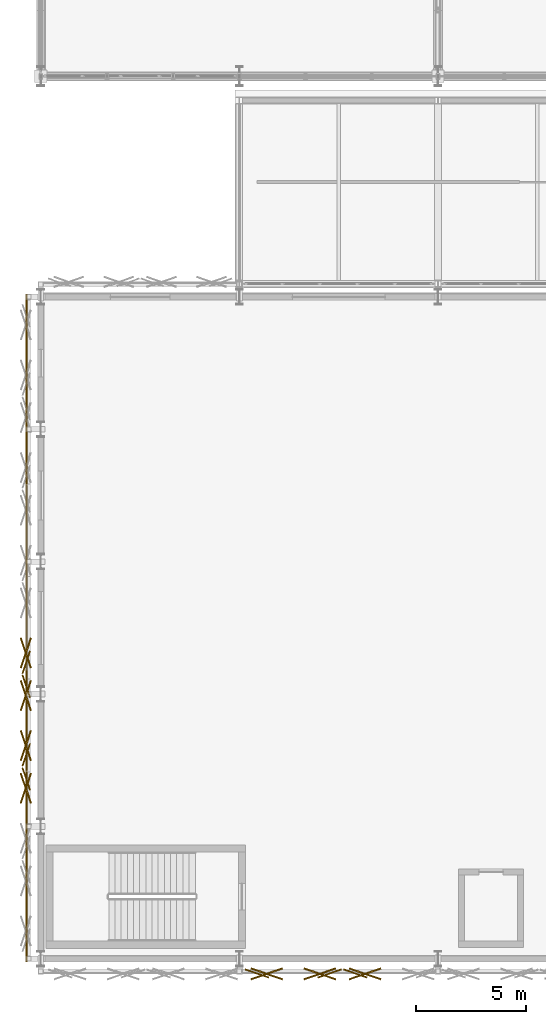
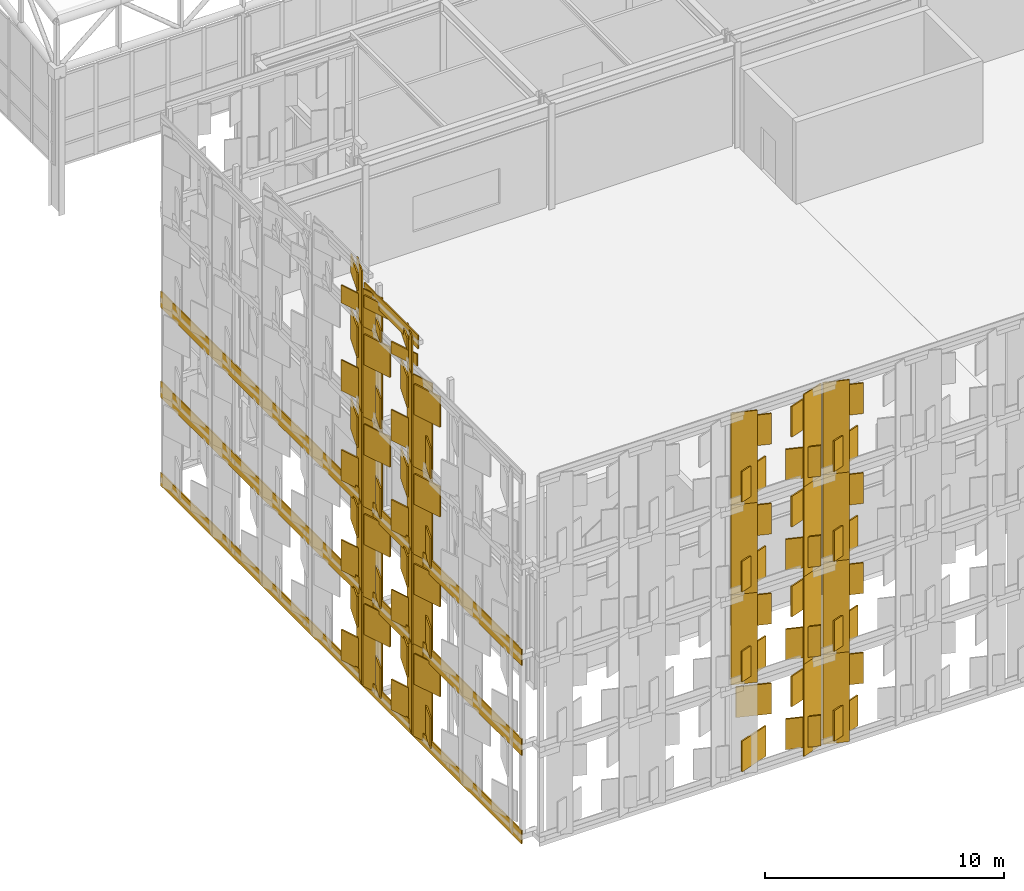
# One storey, part 215 of 239: 96 coverings.
"""IFC4 building model written with IfcOpenShell, lengths in metres."""

from ifc_helpers import new_model, si_unit, direction, frame, origin, origin_2d, place, context, subcontext, project, spatial, rectangle, extrude, material, layer, layer_set, type_object, element, save


model = new_model("IFC4")

# Units and contexts
model_context = context("Model", 3, precision=1e-05, world=origin(), true_north=direction((0.0, 1.0)))
body_context = subcontext(model_context, "Body", "Model", "MODEL_VIEW")
ifc_project = project(units=[si_unit("LENGTHUNIT", "METRE"), si_unit("AREAUNIT", "SQUARE_METRE"), si_unit("VOLUMEUNIT", "CUBIC_METRE"), si_unit("PLANEANGLEUNIT", "RADIAN"), si_unit("MASSUNIT", "GRAM", prefix="KILO")], contexts=[model_context])

# Site, building, storey
site_placement = place(None, origin())
site = spatial("IfcSite", under=ifc_project, at=site_placement, CompositionType="ELEMENT")
building_placement = place(site_placement, origin())
building = spatial("IfcBuilding", under=site, at=building_placement, Name="Kaldris Quays Convention Centre", CompositionType="ELEMENT")
storey_placement = place(building_placement, frame((0.0, 0.0, 11.39990234375)))
storey = spatial("IfcBuildingStorey", under=building, at=storey_placement, Name="L02", CompositionType="ELEMENT", Elevation=11.39990234375)

# Coverings
ifc_material = material(Name="Alabaster white star-pierced anodized aluminium panel", Category="aluminium")
ifc_layer = layer(ifc_material, 0.044921875)
ifc_layer_set = layer_set([ifc_layer], Name="Alabaster white star-pierced anodized aluminium panel")
covering_type = type_object("IfcCoveringType", Name="STAR PIERCED WHITE FOLDED SCREEN CL01", PredefinedType="CLADDING", material=ifc_layer_set)
covering_1_placement = place(storey_placement, frame((33.092041015625, 15.340087890625, -7.60986328125), z_axis=(0.0, 0.0, 1.0), x_axis=(0.945518575599, 0.325568154457, 0.0)))
element("IfcCovering", 1, at=covering_1_placement, inside=storey, type_object=covering_type, Name="V3S Folded White Screen Stile 2768", PredefinedType="CLADDING", context=body_context, shape_type="SweptSolid", body=[
    extrude(rectangle(XDim=1.131103515625, YDim=0.054931640625, at=origin_2d()), origin(), (0.0, 0.0, 1.0), 4.719970703125),
])
for number, where, z_axis, x_axis, name in (
    (2, (30.239501953125, 15.320068359375, -7.27392578125), (0.0, 0.0, 1.0), (0.945518575599, 0.325568154457, 0.0), "V3S Carved Star Corner Facet 2769"),
    (3, (30.239501953125, 15.320068359375, -4.789794921875), (0.0, 0.0, 1.0), (0.945518575599, -0.325568154457, 0.0), "V3S Carved Star Corner Facet 2770"),
    (4, (32.646240234375, 15.320068359375, -7.27392578125), (0.0, 0.0, 1.0), (0.945518575599, -0.325568154457, 0.0), "V3S Carved Star Corner Facet 2771"),
    (5, (32.646240234375, 15.320068359375, -4.789794921875), (0.0, 0.0, 1.0), (0.945518575599, 0.325568154457, 0.0), "V3S Carved Star Corner Facet 2772"),
):
    element("IfcCovering", number, at=place(storey_placement, frame(where, z_axis=z_axis, x_axis=x_axis)), inside=storey, type_object=covering_type, Name=name, PredefinedType="CLADDING", context=body_context, shape_type="SweptSolid", body=[
        extrude(rectangle(XDim=1.514892578125, YDim=0.06494140625, at=origin_2d()), origin(), (0.0, 0.0, 1.0), 1.56396484375),
    ])
for number, where, z_axis, x_axis, name in (
    (6, (29.793701171875, 15.340087890625, -3.009765625), (0.0, 0.0, 1.0), (0.945518575599, -0.325568154457, 0.0), "V3S Folded White Screen Stile 2773"),
    (7, (33.092041015625, 15.340087890625, -3.009765625), (0.0, 0.0, 1.0), (0.945518575599, 0.325568154457, 0.0), "V3S Folded White Screen Stile 2774"),
):
    element("IfcCovering", number, at=place(storey_placement, frame(where, z_axis=z_axis, x_axis=x_axis)), inside=storey, type_object=covering_type, Name=name, PredefinedType="CLADDING", context=body_context, shape_type="SweptSolid", body=[
        extrude(rectangle(XDim=1.131103515625, YDim=0.054931640625, at=origin_2d()), origin(), (0.0, 0.0, 1.0), 4.719970703125),
    ])
for number, where, z_axis, x_axis, name in (
    (8, (30.239501953125, 15.320068359375, -2.673828125), (0.0, 0.0, 1.0), (0.945518575599, 0.325568154457, 0.0), "V3S Carved Star Corner Facet 2775"),
    (9, (30.239501953125, 15.320068359375, -0.18994140625), (0.0, 0.0, 1.0), (0.945518575599, -0.325568154457, 0.0), "V3S Carved Star Corner Facet 2776"),
    (10, (32.646240234375, 15.320068359375, -2.673828125), (0.0, 0.0, 1.0), (0.945518575599, -0.325568154457, 0.0), "V3S Carved Star Corner Facet 2777"),
    (11, (32.646240234375, 15.320068359375, -0.18994140625), (0.0, 0.0, 1.0), (0.945518575599, 0.325568154457, 0.0), "V3S Carved Star Corner Facet 2778"),
):
    element("IfcCovering", number, at=place(storey_placement, frame(where, z_axis=z_axis, x_axis=x_axis)), inside=storey, type_object=covering_type, Name=name, PredefinedType="CLADDING", context=body_context, shape_type="SweptSolid", body=[
        extrude(rectangle(XDim=1.514892578125, YDim=0.06494140625, at=origin_2d()), origin(), (0.0, 0.0, 1.0), 1.56396484375),
    ])
for number, where, z_axis, x_axis, name in (
    (12, (29.793701171875, 15.340087890625, 1.59033203125), (0.0, 0.0, 1.0), (0.945518575599, -0.325568154457, 0.0), "V3S Folded White Screen Stile 2779"),
    (13, (33.092041015625, 15.340087890625, 1.59033203125), (0.0, 0.0, 1.0), (0.945518575599, 0.325568154457, 0.0), "V3S Folded White Screen Stile 2780"),
):
    element("IfcCovering", number, at=place(storey_placement, frame(where, z_axis=z_axis, x_axis=x_axis)), inside=storey, type_object=covering_type, Name=name, PredefinedType="CLADDING", context=body_context, shape_type="SweptSolid", body=[
        extrude(rectangle(XDim=1.131103515625, YDim=0.054931640625, at=origin_2d()), origin(), (0.0, 0.0, 1.0), 4.719970703125),
    ])
for number, where, z_axis, x_axis, name in (
    (14, (30.239501953125, 15.320068359375, 1.926025390625), (0.0, 0.0, 1.0), (0.945518575599, 0.325568154457, 0.0), "V3S Carved Star Corner Facet 2781"),
    (15, (30.239501953125, 15.320068359375, 4.41015625), (0.0, 0.0, 1.0), (0.945518575599, -0.325568154457, 0.0), "V3S Carved Star Corner Facet 2782"),
    (16, (32.646240234375, 15.320068359375, 1.926025390625), (0.0, 0.0, 1.0), (0.945518575599, -0.325568154457, 0.0), "V3S Carved Star Corner Facet 2783"),
    (17, (32.646240234375, 15.320068359375, 4.41015625), (0.0, 0.0, 1.0), (0.945518575599, 0.325568154457, 0.0), "V3S Carved Star Corner Facet 2784"),
):
    element("IfcCovering", number, at=place(storey_placement, frame(where, z_axis=z_axis, x_axis=x_axis)), inside=storey, type_object=covering_type, Name=name, PredefinedType="CLADDING", context=body_context, shape_type="SweptSolid", body=[
        extrude(rectangle(XDim=1.514892578125, YDim=0.06494140625, at=origin_2d()), origin(), (0.0, 0.0, 1.0), 1.56396484375),
    ])
for number, where, z_axis, x_axis, name in (
    (18, (29.793701171875, 15.340087890625, 6.18994140625), (0.0, 0.0, 1.0), (0.945518575599, -0.325568154457, 0.0), "V3S Folded White Screen Stile 2785"),
    (19, (33.092041015625, 15.340087890625, 6.18994140625), (0.0, 0.0, 1.0), (0.945518575599, 0.325568154457, 0.0), "V3S Folded White Screen Stile 2786"),
):
    element("IfcCovering", number, at=place(storey_placement, frame(where, z_axis=z_axis, x_axis=x_axis)), inside=storey, type_object=covering_type, Name=name, PredefinedType="CLADDING", context=body_context, shape_type="SweptSolid", body=[
        extrude(rectangle(XDim=1.131103515625, YDim=0.054931640625, at=origin_2d()), origin(), (0.0, 0.0, 1.0), 4.719970703125),
    ])
for number, where, z_axis, x_axis, name in (
    (20, (30.239501953125, 15.320068359375, 6.526123046875), (0.0, 0.0, 1.0), (0.945518575599, 0.325568154457, 0.0), "V3S Carved Star Corner Facet 2787"),
    (21, (30.239501953125, 15.320068359375, 9.010009765625), (0.0, 0.0, 1.0), (0.945518575599, -0.325568154457, 0.0), "V3S Carved Star Corner Facet 2788"),
    (22, (32.646240234375, 15.320068359375, 6.526123046875), (0.0, 0.0, 1.0), (0.945518575599, -0.325568154457, 0.0), "V3S Carved Star Corner Facet 2789"),
    (23, (32.646240234375, 15.320068359375, 9.010009765625), (0.0, 0.0, 1.0), (0.945518575599, 0.325568154457, 0.0), "V3S Carved Star Corner Facet 2790"),
):
    element("IfcCovering", number, at=place(storey_placement, frame(where, z_axis=z_axis, x_axis=x_axis)), inside=storey, type_object=covering_type, Name=name, PredefinedType="CLADDING", context=body_context, shape_type="SweptSolid", body=[
        extrude(rectangle(XDim=1.514892578125, YDim=0.06494140625, at=origin_2d()), origin(), (0.0, 0.0, 1.0), 1.56396484375),
    ])
covering_2_placement = place(storey_placement, frame((34.2509765625, 15.340087890625, -7.60986328125), z_axis=(0.0, 0.0, 1.0), x_axis=(0.945518575599, -0.325568154457, 0.0)))
element("IfcCovering", 24, at=covering_2_placement, inside=storey, type_object=covering_type, Name="V3S Folded White Screen Stile 2791", PredefinedType="CLADDING", context=body_context, shape_type="SweptSolid", body=[
    extrude(rectangle(XDim=1.131103515625, YDim=0.054931640625, at=origin_2d()), origin(), (0.0, 0.0, 1.0), 4.719970703125),
])
for number, where, z_axis, x_axis, name in (
    (25, (34.696533203125, 15.320068359375, -7.27392578125), (0.0, 0.0, 1.0), (0.945518575599, 0.325568154457, 0.0), "V3S Carved Star Corner Facet 2793"),
    (26, (34.696533203125, 15.320068359375, -4.789794921875), (0.0, 0.0, 1.0), (0.945518575599, -0.325568154457, 0.0), "V3S Carved Star Corner Facet 2794"),
):
    element("IfcCovering", number, at=place(storey_placement, frame(where, z_axis=z_axis, x_axis=x_axis)), inside=storey, type_object=covering_type, Name=name, PredefinedType="CLADDING", context=body_context, shape_type="SweptSolid", body=[
        extrude(rectangle(XDim=1.514892578125, YDim=0.06494140625, at=origin_2d()), origin(), (0.0, 0.0, 1.0), 1.56396484375),
    ])
covering_3_placement = place(storey_placement, frame((34.2509765625, 15.340087890625, -3.009765625), z_axis=(0.0, 0.0, 1.0), x_axis=(0.945518575599, -0.325568154457, 0.0)))
element("IfcCovering", 27, at=covering_3_placement, inside=storey, type_object=covering_type, Name="V3S Folded White Screen Stile 2797", PredefinedType="CLADDING", context=body_context, shape_type="SweptSolid", body=[
    extrude(rectangle(XDim=1.131103515625, YDim=0.054931640625, at=origin_2d()), origin(), (0.0, 0.0, 1.0), 4.719970703125),
])
for number, where, z_axis, x_axis, name in (
    (28, (34.696533203125, 15.320068359375, -2.673828125), (0.0, 0.0, 1.0), (0.945518575599, 0.325568154457, 0.0), "V3S Carved Star Corner Facet 2799"),
    (29, (34.696533203125, 15.320068359375, -0.18994140625), (0.0, 0.0, 1.0), (0.945518575599, -0.325568154457, 0.0), "V3S Carved Star Corner Facet 2800"),
):
    element("IfcCovering", number, at=place(storey_placement, frame(where, z_axis=z_axis, x_axis=x_axis)), inside=storey, type_object=covering_type, Name=name, PredefinedType="CLADDING", context=body_context, shape_type="SweptSolid", body=[
        extrude(rectangle(XDim=1.514892578125, YDim=0.06494140625, at=origin_2d()), origin(), (0.0, 0.0, 1.0), 1.56396484375),
    ])
covering_4_placement = place(storey_placement, frame((34.2509765625, 15.340087890625, 1.59033203125), z_axis=(0.0, 0.0, 1.0), x_axis=(0.945518575599, -0.325568154457, 0.0)))
element("IfcCovering", 30, at=covering_4_placement, inside=storey, type_object=covering_type, Name="V3S Folded White Screen Stile 2803", PredefinedType="CLADDING", context=body_context, shape_type="SweptSolid", body=[
    extrude(rectangle(XDim=1.131103515625, YDim=0.054931640625, at=origin_2d()), origin(), (0.0, 0.0, 1.0), 4.719970703125),
])
for number, where, z_axis, x_axis, name in (
    (31, (34.696533203125, 15.320068359375, 1.926025390625), (0.0, 0.0, 1.0), (0.945518575599, 0.325568154457, 0.0), "V3S Carved Star Corner Facet 2805"),
    (32, (34.696533203125, 15.320068359375, 4.41015625), (0.0, 0.0, 1.0), (0.945518575599, -0.325568154457, 0.0), "V3S Carved Star Corner Facet 2806"),
):
    element("IfcCovering", number, at=place(storey_placement, frame(where, z_axis=z_axis, x_axis=x_axis)), inside=storey, type_object=covering_type, Name=name, PredefinedType="CLADDING", context=body_context, shape_type="SweptSolid", body=[
        extrude(rectangle(XDim=1.514892578125, YDim=0.06494140625, at=origin_2d()), origin(), (0.0, 0.0, 1.0), 1.56396484375),
    ])
covering_5_placement = place(storey_placement, frame((34.2509765625, 15.340087890625, 6.18994140625), z_axis=(0.0, 0.0, 1.0), x_axis=(0.945518575599, -0.325568154457, 0.0)))
element("IfcCovering", 33, at=covering_5_placement, inside=storey, type_object=covering_type, Name="V3S Folded White Screen Stile 2809", PredefinedType="CLADDING", context=body_context, shape_type="SweptSolid", body=[
    extrude(rectangle(XDim=1.131103515625, YDim=0.054931640625, at=origin_2d()), origin(), (0.0, 0.0, 1.0), 4.719970703125),
])
for number, where, z_axis, x_axis, name in (
    (34, (34.696533203125, 15.320068359375, 6.526123046875), (0.0, 0.0, 1.0), (0.945518575599, 0.325568154457, 0.0), "V3S Carved Star Corner Facet 2811"),
    (35, (34.696533203125, 15.320068359375, 9.010009765625), (0.0, 0.0, 1.0), (0.945518575599, -0.325568154457, 0.0), "V3S Carved Star Corner Facet 2812"),
):
    element("IfcCovering", number, at=place(storey_placement, frame(where, z_axis=z_axis, x_axis=x_axis)), inside=storey, type_object=covering_type, Name=name, PredefinedType="CLADDING", context=body_context, shape_type="SweptSolid", body=[
        extrude(rectangle(XDim=1.514892578125, YDim=0.06494140625, at=origin_2d()), origin(), (0.0, 0.0, 1.0), 1.56396484375),
    ])
covering_6_placement = place(storey_placement, frame((19.35009765625, 31.0, -7.8896484375), z_axis=(0.0, 0.0, 1.0), x_axis=(0.0, 1.0, 0.0)))
element("IfcCovering", 36, at=covering_6_placement, inside=storey, type_object=covering_type, Name="V3W White Screen Folded Band 3255", PredefinedType="CLADDING", context=body_context, shape_type="SweptSolid", body=[
    extrude(rectangle(XDim=30.239990234375, YDim=0.054931640625, at=origin_2d()), origin(), (0.0, 0.0, 1.0), 0.679931640625),
])
for number, where, z_axis, x_axis, name in (
    (37, (19.35009765625, 31.0, -3.3701171875), (0.0, 0.0, 1.0), (0.0, 1.0, 0.0), "V3W White Screen Folded Band 3256"),
    (38, (19.35009765625, 31.0, 1.22998046875), (0.0, 0.0, 1.0), (0.0, 1.0, 0.0), "V3W White Screen Folded Band 3257"),
):
    element("IfcCovering", number, at=place(storey_placement, frame(where, z_axis=z_axis, x_axis=x_axis)), inside=storey, type_object=covering_type, Name=name, PredefinedType="CLADDING", context=body_context, shape_type="SweptSolid", body=[
        extrude(rectangle(XDim=30.239990234375, YDim=0.054931640625, at=origin_2d()), origin(), (0.0, 0.0, 1.0), 0.840087890625),
    ])
covering_7_placement = place(storey_placement, frame((19.340087890625, 24.154052734375, -7.60986328125), z_axis=(0.0, 0.0, 1.0), x_axis=(-0.325568154457, 0.945518575599, 0.0)))
element("IfcCovering", 39, at=covering_7_placement, inside=storey, type_object=covering_type, Name="V3W Folded White Screen Stile 3285", PredefinedType="CLADDING", context=body_context, shape_type="SweptSolid", body=[
    extrude(rectangle(XDim=1.06591796875, YDim=0.054931640625, at=origin_2d()), origin(), (0.0, 0.0, 1.0), 4.719970703125),
])
for number, where, z_axis, x_axis, name in (
    (40, (19.320068359375, 23.73388671875, -7.27392578125), (0.0, 0.0, 1.0), (0.325568154457, 0.945518575599, 0.0), "V3W Carved Star Corner Facet 3288"),
    (41, (19.320068359375, 23.73388671875, -4.789794921875), (0.0, 0.0, 1.0), (-0.325568154457, 0.945518575599, 0.0), "V3W Carved Star Corner Facet 3289"),
):
    element("IfcCovering", number, at=place(storey_placement, frame(where, z_axis=z_axis, x_axis=x_axis)), inside=storey, type_object=covering_type, Name=name, PredefinedType="CLADDING", context=body_context, shape_type="SweptSolid", body=[
        extrude(rectangle(XDim=1.427978515625, YDim=0.06494140625, at=origin_2d()), origin(), (0.0, 0.0, 1.0), 1.56396484375),
    ])
covering_8_placement = place(storey_placement, frame((19.340087890625, 24.154052734375, -3.009765625), z_axis=(0.0, 0.0, 1.0), x_axis=(-0.325568154457, 0.945518575599, 0.0)))
element("IfcCovering", 42, at=covering_8_placement, inside=storey, type_object=covering_type, Name="V3W Folded White Screen Stile 3291", PredefinedType="CLADDING", context=body_context, shape_type="SweptSolid", body=[
    extrude(rectangle(XDim=1.06591796875, YDim=0.054931640625, at=origin_2d()), origin(), (0.0, 0.0, 1.0), 4.719970703125),
])
for number, where, z_axis, x_axis, name in (
    (43, (19.320068359375, 23.73388671875, -2.673828125), (0.0, 0.0, 1.0), (0.325568154457, 0.945518575599, 0.0), "V3W Carved Star Corner Facet 3294"),
    (44, (19.320068359375, 23.73388671875, -0.18994140625), (0.0, 0.0, 1.0), (-0.325568154457, 0.945518575599, 0.0), "V3W Carved Star Corner Facet 3295"),
):
    element("IfcCovering", number, at=place(storey_placement, frame(where, z_axis=z_axis, x_axis=x_axis)), inside=storey, type_object=covering_type, Name=name, PredefinedType="CLADDING", context=body_context, shape_type="SweptSolid", body=[
        extrude(rectangle(XDim=1.427978515625, YDim=0.06494140625, at=origin_2d()), origin(), (0.0, 0.0, 1.0), 1.56396484375),
    ])
covering_9_placement = place(storey_placement, frame((19.340087890625, 24.154052734375, 1.59033203125), z_axis=(0.0, 0.0, 1.0), x_axis=(-0.325568154457, 0.945518575599, 0.0)))
element("IfcCovering", 45, at=covering_9_placement, inside=storey, type_object=covering_type, Name="V3W Folded White Screen Stile 3297", PredefinedType="CLADDING", context=body_context, shape_type="SweptSolid", body=[
    extrude(rectangle(XDim=1.06591796875, YDim=0.054931640625, at=origin_2d()), origin(), (0.0, 0.0, 1.0), 4.719970703125),
])
for number, where, z_axis, x_axis, name in (
    (46, (19.320068359375, 23.73388671875, 1.926025390625), (0.0, 0.0, 1.0), (0.325568154457, 0.945518575599, 0.0), "V3W Carved Star Corner Facet 3300"),
    (47, (19.320068359375, 23.73388671875, 4.41015625), (0.0, 0.0, 1.0), (-0.325568154457, 0.945518575599, 0.0), "V3W Carved Star Corner Facet 3301"),
):
    element("IfcCovering", number, at=place(storey_placement, frame(where, z_axis=z_axis, x_axis=x_axis)), inside=storey, type_object=covering_type, Name=name, PredefinedType="CLADDING", context=body_context, shape_type="SweptSolid", body=[
        extrude(rectangle(XDim=1.427978515625, YDim=0.06494140625, at=origin_2d()), origin(), (0.0, 0.0, 1.0), 1.56396484375),
    ])
covering_10_placement = place(storey_placement, frame((19.340087890625, 24.154052734375, 6.18994140625), z_axis=(0.0, 0.0, 1.0), x_axis=(-0.325568154457, 0.945518575599, 0.0)))
element("IfcCovering", 48, at=covering_10_placement, inside=storey, type_object=covering_type, Name="V3W Folded White Screen Stile 3303", PredefinedType="CLADDING", context=body_context, shape_type="SweptSolid", body=[
    extrude(rectangle(XDim=1.06591796875, YDim=0.054931640625, at=origin_2d()), origin(), (0.0, 0.0, 1.0), 4.719970703125),
])
for number, where, z_axis, x_axis, name in (
    (49, (19.320068359375, 23.73388671875, 6.526123046875), (0.0, 0.0, 1.0), (0.325568154457, 0.945518575599, 0.0), "V3W Carved Star Corner Facet 3306"),
    (50, (19.320068359375, 23.73388671875, 9.010009765625), (0.0, 0.0, 1.0), (-0.325568154457, 0.945518575599, 0.0), "V3W Carved Star Corner Facet 3307"),
):
    element("IfcCovering", number, at=place(storey_placement, frame(where, z_axis=z_axis, x_axis=x_axis)), inside=storey, type_object=covering_type, Name=name, PredefinedType="CLADDING", context=body_context, shape_type="SweptSolid", body=[
        extrude(rectangle(XDim=1.427978515625, YDim=0.06494140625, at=origin_2d()), origin(), (0.0, 0.0, 1.0), 1.56396484375),
    ])
covering_11_placement = place(storey_placement, frame((19.35009765625, 26.800048828125, 12.18408203125), z_axis=(0.0, 0.0, 1.0), x_axis=(0.0, 1.0, 0.0)))
element("IfcCovering", 51, at=covering_11_placement, inside=storey, type_object=covering_type, Name="V3W Gable White Screen Cap Band 3308", PredefinedType="CLADDING", context=body_context, shape_type="SweptSolid", body=[
    extrude(rectangle(XDim=4.5, YDim=0.054931640625, at=origin_2d()), origin(), (0.0, 0.0, 1.0), 0.679931640625),
])
for number, where, z_axis, x_axis, name in (
    (52, (19.340087890625, 25.24609375, -7.60986328125), (0.0, 0.0, 1.0), (0.325568154457, 0.945518575599, 0.0), "V3W Folded White Screen Stile 3309"),
    (53, (19.340087890625, 28.35400390625, -7.60986328125), (0.0, 0.0, 1.0), (-0.325568154457, 0.945518575599, 0.0), "V3W Folded White Screen Stile 3310"),
):
    element("IfcCovering", number, at=place(storey_placement, frame(where, z_axis=z_axis, x_axis=x_axis)), inside=storey, type_object=covering_type, Name=name, PredefinedType="CLADDING", context=body_context, shape_type="SweptSolid", body=[
        extrude(rectangle(XDim=1.06591796875, YDim=0.054931640625, at=origin_2d()), origin(), (0.0, 0.0, 1.0), 4.719970703125),
    ])
for number, where, z_axis, x_axis, name in (
    (54, (19.320068359375, 25.666015625, -7.27392578125), (0.0, 0.0, 1.0), (-0.325568154457, 0.945518575599, 0.0), "V3W Carved Star Corner Facet 3311"),
    (55, (19.320068359375, 25.666015625, -4.789794921875), (0.0, 0.0, 1.0), (0.325568154457, 0.945518575599, 0.0), "V3W Carved Star Corner Facet 3312"),
    (56, (19.320068359375, 27.93408203125, -7.27392578125), (0.0, 0.0, 1.0), (0.325568154457, 0.945518575599, 0.0), "V3W Carved Star Corner Facet 3313"),
    (57, (19.320068359375, 27.93408203125, -4.789794921875), (0.0, 0.0, 1.0), (-0.325568154457, 0.945518575599, 0.0), "V3W Carved Star Corner Facet 3314"),
):
    element("IfcCovering", number, at=place(storey_placement, frame(where, z_axis=z_axis, x_axis=x_axis)), inside=storey, type_object=covering_type, Name=name, PredefinedType="CLADDING", context=body_context, shape_type="SweptSolid", body=[
        extrude(rectangle(XDim=1.427978515625, YDim=0.06494140625, at=origin_2d()), origin(), (0.0, 0.0, 1.0), 1.56396484375),
    ])
for number, where, z_axis, x_axis, name in (
    (58, (19.340087890625, 25.24609375, -3.009765625), (0.0, 0.0, 1.0), (0.325568154457, 0.945518575599, 0.0), "V3W Folded White Screen Stile 3315"),
    (59, (19.340087890625, 28.35400390625, -3.009765625), (0.0, 0.0, 1.0), (-0.325568154457, 0.945518575599, 0.0), "V3W Folded White Screen Stile 3316"),
):
    element("IfcCovering", number, at=place(storey_placement, frame(where, z_axis=z_axis, x_axis=x_axis)), inside=storey, type_object=covering_type, Name=name, PredefinedType="CLADDING", context=body_context, shape_type="SweptSolid", body=[
        extrude(rectangle(XDim=1.06591796875, YDim=0.054931640625, at=origin_2d()), origin(), (0.0, 0.0, 1.0), 4.719970703125),
    ])
for number, where, z_axis, x_axis, name in (
    (60, (19.320068359375, 25.666015625, -2.673828125), (0.0, 0.0, 1.0), (-0.325568154457, 0.945518575599, 0.0), "V3W Carved Star Corner Facet 3317"),
    (61, (19.320068359375, 25.666015625, -0.18994140625), (0.0, 0.0, 1.0), (0.325568154457, 0.945518575599, 0.0), "V3W Carved Star Corner Facet 3318"),
    (62, (19.320068359375, 27.93408203125, -2.673828125), (0.0, 0.0, 1.0), (0.325568154457, 0.945518575599, 0.0), "V3W Carved Star Corner Facet 3319"),
    (63, (19.320068359375, 27.93408203125, -0.18994140625), (0.0, 0.0, 1.0), (-0.325568154457, 0.945518575599, 0.0), "V3W Carved Star Corner Facet 3320"),
):
    element("IfcCovering", number, at=place(storey_placement, frame(where, z_axis=z_axis, x_axis=x_axis)), inside=storey, type_object=covering_type, Name=name, PredefinedType="CLADDING", context=body_context, shape_type="SweptSolid", body=[
        extrude(rectangle(XDim=1.427978515625, YDim=0.06494140625, at=origin_2d()), origin(), (0.0, 0.0, 1.0), 1.56396484375),
    ])
for number, where, z_axis, x_axis, name in (
    (64, (19.340087890625, 25.24609375, 1.59033203125), (0.0, 0.0, 1.0), (0.325568154457, 0.945518575599, 0.0), "V3W Folded White Screen Stile 3321"),
    (65, (19.340087890625, 28.35400390625, 1.59033203125), (0.0, 0.0, 1.0), (-0.325568154457, 0.945518575599, 0.0), "V3W Folded White Screen Stile 3322"),
):
    element("IfcCovering", number, at=place(storey_placement, frame(where, z_axis=z_axis, x_axis=x_axis)), inside=storey, type_object=covering_type, Name=name, PredefinedType="CLADDING", context=body_context, shape_type="SweptSolid", body=[
        extrude(rectangle(XDim=1.06591796875, YDim=0.054931640625, at=origin_2d()), origin(), (0.0, 0.0, 1.0), 4.719970703125),
    ])
for number, where, z_axis, x_axis, name in (
    (66, (19.320068359375, 25.666015625, 1.926025390625), (0.0, 0.0, 1.0), (-0.325568154457, 0.945518575599, 0.0), "V3W Carved Star Corner Facet 3323"),
    (67, (19.320068359375, 25.666015625, 4.41015625), (0.0, 0.0, 1.0), (0.325568154457, 0.945518575599, 0.0), "V3W Carved Star Corner Facet 3324"),
    (68, (19.320068359375, 27.93408203125, 1.926025390625), (0.0, 0.0, 1.0), (0.325568154457, 0.945518575599, 0.0), "V3W Carved Star Corner Facet 3325"),
    (69, (19.320068359375, 27.93408203125, 4.41015625), (0.0, 0.0, 1.0), (-0.325568154457, 0.945518575599, 0.0), "V3W Carved Star Corner Facet 3326"),
):
    element("IfcCovering", number, at=place(storey_placement, frame(where, z_axis=z_axis, x_axis=x_axis)), inside=storey, type_object=covering_type, Name=name, PredefinedType="CLADDING", context=body_context, shape_type="SweptSolid", body=[
        extrude(rectangle(XDim=1.427978515625, YDim=0.06494140625, at=origin_2d()), origin(), (0.0, 0.0, 1.0), 1.56396484375),
    ])
for number, where, z_axis, x_axis, name in (
    (70, (19.340087890625, 25.24609375, 6.18994140625), (0.0, 0.0, 1.0), (0.325568154457, 0.945518575599, 0.0), "V3W Folded White Screen Stile 3327"),
    (71, (19.340087890625, 28.35400390625, 6.18994140625), (0.0, 0.0, 1.0), (-0.325568154457, 0.945518575599, 0.0), "V3W Folded White Screen Stile 3328"),
):
    element("IfcCovering", number, at=place(storey_placement, frame(where, z_axis=z_axis, x_axis=x_axis)), inside=storey, type_object=covering_type, Name=name, PredefinedType="CLADDING", context=body_context, shape_type="SweptSolid", body=[
        extrude(rectangle(XDim=1.06591796875, YDim=0.054931640625, at=origin_2d()), origin(), (0.0, 0.0, 1.0), 4.719970703125),
    ])
for number, where, z_axis, x_axis, name in (
    (72, (19.320068359375, 25.666015625, 6.526123046875), (0.0, 0.0, 1.0), (-0.325568154457, 0.945518575599, 0.0), "V3W Carved Star Corner Facet 3329"),
    (73, (19.320068359375, 25.666015625, 9.010009765625), (0.0, 0.0, 1.0), (0.325568154457, 0.945518575599, 0.0), "V3W Carved Star Corner Facet 3330"),
    (74, (19.320068359375, 27.93408203125, 6.526123046875), (0.0, 0.0, 1.0), (0.325568154457, 0.945518575599, 0.0), "V3W Carved Star Corner Facet 3331"),
    (75, (19.320068359375, 27.93408203125, 9.010009765625), (0.0, 0.0, 1.0), (-0.325568154457, 0.945518575599, 0.0), "V3W Carved Star Corner Facet 3332"),
):
    element("IfcCovering", number, at=place(storey_placement, frame(where, z_axis=z_axis, x_axis=x_axis)), inside=storey, type_object=covering_type, Name=name, PredefinedType="CLADDING", context=body_context, shape_type="SweptSolid", body=[
        extrude(rectangle(XDim=1.427978515625, YDim=0.06494140625, at=origin_2d()), origin(), (0.0, 0.0, 1.0), 1.56396484375),
    ])
for number, where, z_axis, x_axis, name in (
    (76, (19.340087890625, 25.24609375, 10.7900390625), (0.0, 0.0, 1.0), (0.325568154457, 0.945518575599, 0.0), "V3W Folded White Screen Stile 3333"),
    (77, (19.340087890625, 28.35400390625, 10.7900390625), (0.0, 0.0, 1.0), (-0.325568154457, 0.945518575599, 0.0), "V3W Folded White Screen Stile 3334"),
):
    element("IfcCovering", number, at=place(storey_placement, frame(where, z_axis=z_axis, x_axis=x_axis)), inside=storey, type_object=covering_type, Name=name, PredefinedType="CLADDING", context=body_context, shape_type="SweptSolid", body=[
        extrude(rectangle(XDim=1.06591796875, YDim=0.054931640625, at=origin_2d()), origin(), (0.0, 0.0, 1.0), 1.944091796875),
    ])
for number, where, z_axis, x_axis, name in (
    (78, (19.320068359375, 25.666015625, 10.95947265625), (0.0, 0.0, 1.0), (-0.325568154457, 0.945518575599, 0.0), "V3W Carved Star Corner Facet 3335"),
    (79, (19.320068359375, 25.666015625, 11.944580078125), (0.0, 0.0, 1.0), (0.325568154457, 0.945518575599, 0.0), "V3W Carved Star Corner Facet 3336"),
    (80, (19.320068359375, 27.93408203125, 10.95947265625), (0.0, 0.0, 1.0), (0.325568154457, 0.945518575599, 0.0), "V3W Carved Star Corner Facet 3337"),
    (81, (19.320068359375, 27.93408203125, 11.944580078125), (0.0, 0.0, 1.0), (-0.325568154457, 0.945518575599, 0.0), "V3W Carved Star Corner Facet 3338"),
):
    element("IfcCovering", number, at=place(storey_placement, frame(where, z_axis=z_axis, x_axis=x_axis)), inside=storey, type_object=covering_type, Name=name, PredefinedType="CLADDING", context=body_context, shape_type="SweptSolid", body=[
        extrude(rectangle(XDim=1.427978515625, YDim=0.06494140625, at=origin_2d()), origin(), (0.0, 0.0, 1.0), 0.6201171875),
    ])
covering_12_placement = place(storey_placement, frame((19.340087890625, 29.446044921875, -7.60986328125), z_axis=(0.0, 0.0, 1.0), x_axis=(0.325568154457, 0.945518575599, 0.0)))
element("IfcCovering", 82, at=covering_12_placement, inside=storey, type_object=covering_type, Name="V3W Folded White Screen Stile 3340", PredefinedType="CLADDING", context=body_context, shape_type="SweptSolid", body=[
    extrude(rectangle(XDim=1.06591796875, YDim=0.054931640625, at=origin_2d()), origin(), (0.0, 0.0, 1.0), 4.719970703125),
])
for number, where, z_axis, x_axis, name in (
    (83, (19.320068359375, 29.865966796875, -7.27392578125), (0.0, 0.0, 1.0), (-0.325568154457, 0.945518575599, 0.0), "V3W Carved Star Corner Facet 3342"),
    (84, (19.320068359375, 29.865966796875, -4.789794921875), (0.0, 0.0, 1.0), (0.325568154457, 0.945518575599, 0.0), "V3W Carved Star Corner Facet 3343"),
):
    element("IfcCovering", number, at=place(storey_placement, frame(where, z_axis=z_axis, x_axis=x_axis)), inside=storey, type_object=covering_type, Name=name, PredefinedType="CLADDING", context=body_context, shape_type="SweptSolid", body=[
        extrude(rectangle(XDim=1.427978515625, YDim=0.06494140625, at=origin_2d()), origin(), (0.0, 0.0, 1.0), 1.56396484375),
    ])
covering_13_placement = place(storey_placement, frame((19.340087890625, 29.446044921875, -3.009765625), z_axis=(0.0, 0.0, 1.0), x_axis=(0.325568154457, 0.945518575599, 0.0)))
element("IfcCovering", 85, at=covering_13_placement, inside=storey, type_object=covering_type, Name="V3W Folded White Screen Stile 3346", PredefinedType="CLADDING", context=body_context, shape_type="SweptSolid", body=[
    extrude(rectangle(XDim=1.06591796875, YDim=0.054931640625, at=origin_2d()), origin(), (0.0, 0.0, 1.0), 4.719970703125),
])
for number, where, z_axis, x_axis, name in (
    (86, (19.320068359375, 29.865966796875, -2.673828125), (0.0, 0.0, 1.0), (-0.325568154457, 0.945518575599, 0.0), "V3W Carved Star Corner Facet 3348"),
    (87, (19.320068359375, 29.865966796875, -0.18994140625), (0.0, 0.0, 1.0), (0.325568154457, 0.945518575599, 0.0), "V3W Carved Star Corner Facet 3349"),
):
    element("IfcCovering", number, at=place(storey_placement, frame(where, z_axis=z_axis, x_axis=x_axis)), inside=storey, type_object=covering_type, Name=name, PredefinedType="CLADDING", context=body_context, shape_type="SweptSolid", body=[
        extrude(rectangle(XDim=1.427978515625, YDim=0.06494140625, at=origin_2d()), origin(), (0.0, 0.0, 1.0), 1.56396484375),
    ])
covering_14_placement = place(storey_placement, frame((19.340087890625, 29.446044921875, 1.59033203125), z_axis=(0.0, 0.0, 1.0), x_axis=(0.325568154457, 0.945518575599, 0.0)))
element("IfcCovering", 88, at=covering_14_placement, inside=storey, type_object=covering_type, Name="V3W Folded White Screen Stile 3352", PredefinedType="CLADDING", context=body_context, shape_type="SweptSolid", body=[
    extrude(rectangle(XDim=1.06591796875, YDim=0.054931640625, at=origin_2d()), origin(), (0.0, 0.0, 1.0), 4.719970703125),
])
for number, where, z_axis, x_axis, name in (
    (89, (19.320068359375, 29.865966796875, 1.926025390625), (0.0, 0.0, 1.0), (-0.325568154457, 0.945518575599, 0.0), "V3W Carved Star Corner Facet 3354"),
    (90, (19.320068359375, 29.865966796875, 4.41015625), (0.0, 0.0, 1.0), (0.325568154457, 0.945518575599, 0.0), "V3W Carved Star Corner Facet 3355"),
):
    element("IfcCovering", number, at=place(storey_placement, frame(where, z_axis=z_axis, x_axis=x_axis)), inside=storey, type_object=covering_type, Name=name, PredefinedType="CLADDING", context=body_context, shape_type="SweptSolid", body=[
        extrude(rectangle(XDim=1.427978515625, YDim=0.06494140625, at=origin_2d()), origin(), (0.0, 0.0, 1.0), 1.56396484375),
    ])
covering_15_placement = place(storey_placement, frame((19.340087890625, 29.446044921875, 6.18994140625), z_axis=(0.0, 0.0, 1.0), x_axis=(0.325568154457, 0.945518575599, 0.0)))
element("IfcCovering", 91, at=covering_15_placement, inside=storey, type_object=covering_type, Name="V3W Folded White Screen Stile 3358", PredefinedType="CLADDING", context=body_context, shape_type="SweptSolid", body=[
    extrude(rectangle(XDim=1.06591796875, YDim=0.054931640625, at=origin_2d()), origin(), (0.0, 0.0, 1.0), 4.719970703125),
])
for number, where, z_axis, x_axis, name in (
    (92, (19.320068359375, 29.865966796875, 6.526123046875), (0.0, 0.0, 1.0), (-0.325568154457, 0.945518575599, 0.0), "V3W Carved Star Corner Facet 3360"),
    (93, (19.320068359375, 29.865966796875, 9.010009765625), (0.0, 0.0, 1.0), (0.325568154457, 0.945518575599, 0.0), "V3W Carved Star Corner Facet 3361"),
):
    element("IfcCovering", number, at=place(storey_placement, frame(where, z_axis=z_axis, x_axis=x_axis)), inside=storey, type_object=covering_type, Name=name, PredefinedType="CLADDING", context=body_context, shape_type="SweptSolid", body=[
        extrude(rectangle(XDim=1.427978515625, YDim=0.06494140625, at=origin_2d()), origin(), (0.0, 0.0, 1.0), 1.56396484375),
    ])
covering_16_placement = place(storey_placement, frame((19.340087890625, 29.446044921875, 10.7900390625), z_axis=(0.0, 0.0, 1.0), x_axis=(0.325568154457, 0.945518575599, 0.0)))
element("IfcCovering", 94, at=covering_16_placement, inside=storey, type_object=covering_type, Name="V3W Folded White Screen Stile 3364", PredefinedType="CLADDING", context=body_context, shape_type="SweptSolid", body=[
    extrude(rectangle(XDim=1.06591796875, YDim=0.054931640625, at=origin_2d()), origin(), (0.0, 0.0, 1.0), 2.783935546875),
])
for number, where, z_axis, x_axis, name in (
    (95, (19.320068359375, 29.865966796875, 11.009765625), (0.0, 0.0, 1.0), (-0.325568154457, 0.945518575599, 0.0), "V3W Carved Star Corner Facet 3366"),
    (96, (19.320068359375, 29.865966796875, 12.4482421875), (0.0, 0.0, 1.0), (0.325568154457, 0.945518575599, 0.0), "V3W Carved Star Corner Facet 3367"),
):
    element("IfcCovering", number, at=place(storey_placement, frame(where, z_axis=z_axis, x_axis=x_axis)), inside=storey, type_object=covering_type, Name=name, PredefinedType="CLADDING", context=body_context, shape_type="SweptSolid", body=[
        extrude(rectangle(XDim=1.427978515625, YDim=0.06494140625, at=origin_2d()), origin(), (0.0, 0.0, 1.0), 0.906005859375),
    ])

save(model, "model.ifc")
